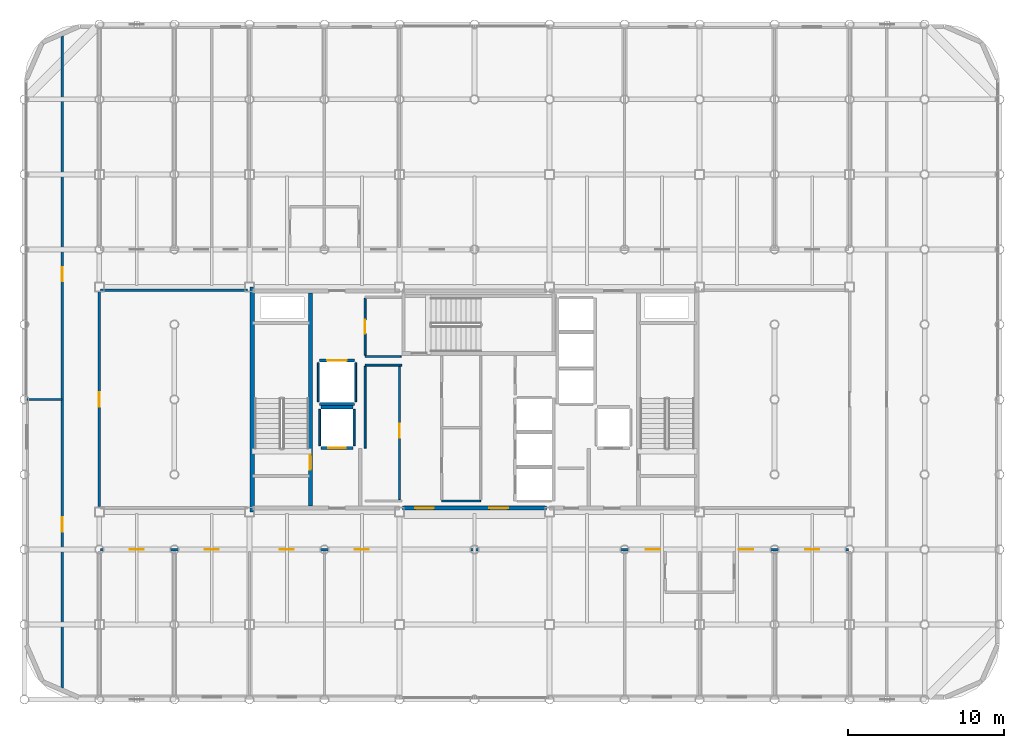
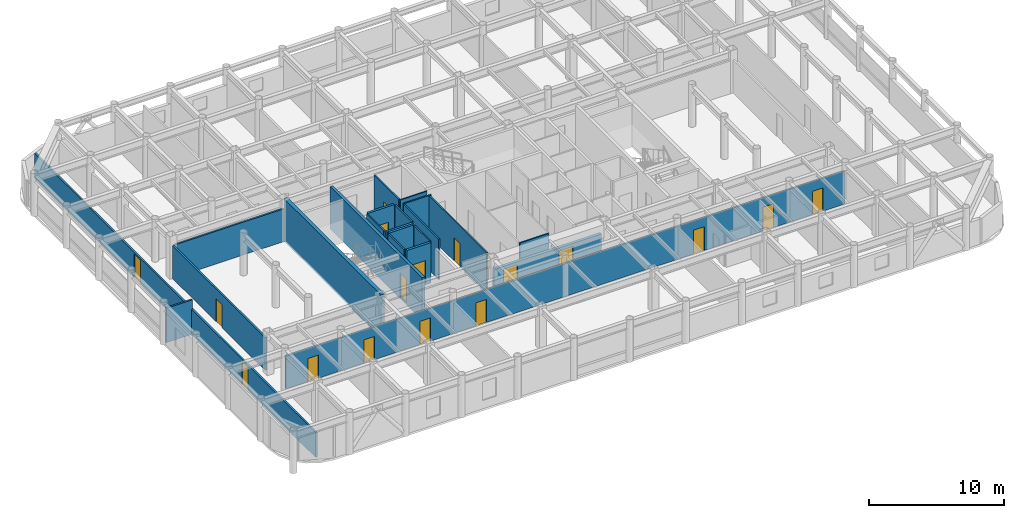
# One storey, part 18 of 22: 22 walls, 17 doors, 17 openings.
"""IFC4 building model written with IfcOpenShell, lengths in metres."""

from ifc_helpers import new_model, si_unit, direction, frame, frame_2d, origin, place, context, subcontext, project, spatial, rectangle, extrude, material, layer, layer_set, type_object, element, fill, save


model = new_model("IFC4")

# Units and contexts
model_context = context("Model", 3, precision=1e-05, world=origin(), true_north=direction((0.0, 1.0)))
body_context = subcontext(model_context, "Body", "Model", "MODEL_VIEW")
ifc_project = project(units=[si_unit("LENGTHUNIT", "METRE"), si_unit("AREAUNIT", "SQUARE_METRE"), si_unit("VOLUMEUNIT", "CUBIC_METRE"), si_unit("PLANEANGLEUNIT", "RADIAN"), si_unit("MASSUNIT", "GRAM", prefix="KILO")], contexts=[model_context])

# Site, building, storey
site_placement = place(None, origin())
site = spatial("IfcSite", under=ifc_project, at=site_placement, CompositionType="ELEMENT")
building_placement = place(site_placement, origin())
building = spatial("IfcBuilding", under=site, at=building_placement, Name="Kallvorn Hotel Tower", CompositionType="ELEMENT")
storey_placement = place(building_placement, frame((0.0, 0.0, 230.0)))
storey = spatial("IfcBuildingStorey", under=building, at=storey_placement, Name="L57", CompositionType="ELEMENT", Elevation=230.0)

# Wall
ifc_material_1 = material(Name="Concrete C50/60", Category="concrete")
ifc_layer_1 = layer(ifc_material_1, 0.300048828125)
ifc_layer_set_1 = layer_set([ifc_layer_1], Name="WL_CORE_300")
wall_type_1 = type_object("IfcWallType", Name="WL_CORE_300", PredefinedType="SHEAR", material=ifc_layer_set_1)
wall_1_placement = place(storey_placement, frame((-14.215087890625, -7.199951171875, -0.179931640625), z_axis=(0.0, 0.0, 1.0), x_axis=(0.0, 1.0, 0.0)))
element("IfcWall", 1, at=wall_1_placement, inside=storey, type_object=wall_type_1, Name="L57 Core West Shear Wall", PredefinedType="SHEAR", context=body_context, shape_type="SweptSolid", body=[
    extrude(rectangle(XDim=14.39990234375, YDim=0.300048828125, at=frame_2d((7.199951171875, 0.0))), origin(), (0.0, 0.0, 1.0), 3.849853515625),
])

# Wall, openings, doors
ifc_material_2 = material(Name="Fire-rated double-layer acoustic gypsum drywall EI 60")
ifc_layer_2 = layer(ifc_material_2, 0.159912109375)
ifc_layer_set_2 = layer_set([ifc_layer_2], Name="WL_DEMISE_160")
wall_type_2 = type_object("IfcWallType", Name="WL_DEMISE_160", PredefinedType="PARTITIONING", material=ifc_layer_set_2)
wall_2_placement = place(storey_placement, frame((-23.919921875, -9.60009765625, 0.0), z_axis=(0.0, 0.0, 1.0), x_axis=(1.0, 0.0, 0.0)))
wall_2 = element("IfcWall", 2, at=wall_2_placement, inside=storey, type_object=wall_type_2, Name="L57 Suite 5701 Superior Twin Room Partition", PredefinedType="PARTITIONING", context=body_context, shape_type="SweptSolid", body=[
    extrude(rectangle(XDim=47.83984375, YDim=0.159912109375, at=frame_2d((23.919921875, 0.0))), origin(), (0.0, 0.0, 1.0), 2.969970703125),
])
opening_1_placement = place(wall_2_placement, frame((1.8701171875, 0.0, 0.0)))
opening_1 = element("IfcOpeningElement", 3, at=opening_1_placement, cuts=wall_2, Name="Opening SVD1", PredefinedType="OPENING", context=body_context, shape_type="SweptSolid", body=[
    extrude(rectangle(XDim=0.89990234375, YDim=2.10009765625, at=frame_2d((0.449951171875, 1.050048828125))), frame((0.0, 0.094970703125, 0.0), z_axis=(0.0, -1.0, 0.0), x_axis=(1.0, 0.0, 0.0)), (0.0, 0.0, 1.0), 0.18994140625),
])
opening_2_placement = place(wall_2_placement, frame((45.070068359375, 0.0, 0.0)))
opening_2 = element("IfcOpeningElement", 4, at=opening_2_placement, cuts=wall_2, Name="Opening SVD1", PredefinedType="OPENING", context=body_context, shape_type="SweptSolid", body=[
    extrude(rectangle(XDim=0.89990234375, YDim=2.10009765625, at=frame_2d((0.449951171875, 1.050048828125))), frame((0.0, 0.094970703125, 0.0), z_axis=(0.0, -1.0, 0.0), x_axis=(1.0, 0.0, 0.0)), (0.0, 0.0, 1.0), 0.18994140625),
])
opening_3_placement = place(wall_2_placement, frame((6.669921875, 0.0, 0.0)))
opening_3 = element("IfcOpeningElement", 5, at=opening_3_placement, cuts=wall_2, Name="Opening SVD1", PredefinedType="OPENING", context=body_context, shape_type="SweptSolid", body=[
    extrude(rectangle(XDim=0.89990234375, YDim=2.10009765625, at=frame_2d((0.449951171875, 1.050048828125))), frame((0.0, 0.094970703125, 0.0), z_axis=(0.0, -1.0, 0.0), x_axis=(1.0, 0.0, 0.0)), (0.0, 0.0, 1.0), 0.18994140625),
])
opening_4_placement = place(wall_2_placement, frame((11.469970703125, 0.0, 0.0)))
opening_4 = element("IfcOpeningElement", 6, at=opening_4_placement, cuts=wall_2, Name="Opening SVD1", PredefinedType="OPENING", context=body_context, shape_type="SweptSolid", body=[
    extrude(rectangle(XDim=0.89990234375, YDim=2.10009765625, at=frame_2d((0.449951171875, 1.050048828125))), frame((0.0, 0.094970703125, 0.0), z_axis=(0.0, -1.0, 0.0), x_axis=(1.0, 0.0, 0.0)), (0.0, 0.0, 1.0), 0.18994140625),
])
opening_5_placement = place(wall_2_placement, frame((16.27001953125, 0.0, 0.0)))
opening_5 = element("IfcOpeningElement", 7, at=opening_5_placement, cuts=wall_2, Name="Opening SVD1", PredefinedType="OPENING", context=body_context, shape_type="SweptSolid", body=[
    extrude(rectangle(XDim=0.89990234375, YDim=2.10009765625, at=frame_2d((0.449951171875, 1.050048828125))), frame((0.0, 0.094970703125, 0.0), z_axis=(0.0, -1.0, 0.0), x_axis=(1.0, 0.0, 0.0)), (0.0, 0.0, 1.0), 0.18994140625),
])
opening_6_placement = place(wall_2_placement, frame((34.889892578125, 0.0, 0.0)))
opening_6 = element("IfcOpeningElement", 8, at=opening_6_placement, cuts=wall_2, Name="Opening GD1", PredefinedType="OPENING", context=body_context, shape_type="SweptSolid", body=[
    extrude(rectangle(XDim=0.919921875, YDim=2.14990234375, at=frame_2d((0.4599609375, 1.074951171875))), frame((0.0, 0.094970703125, 0.0), z_axis=(0.0, -1.0, 0.0), x_axis=(1.0, 0.0, 0.0)), (0.0, 0.0, 1.0), 0.18994140625),
])
opening_7_placement = place(wall_2_placement, frame((40.830078125, 0.0, 0.0)))
opening_7 = element("IfcOpeningElement", 9, at=opening_7_placement, cuts=wall_2, Name="Opening GD1", PredefinedType="OPENING", context=body_context, shape_type="SweptSolid", body=[
    extrude(rectangle(XDim=0.919921875, YDim=2.14990234375, at=frame_2d((0.4599609375, 1.074951171875))), frame((0.0, 0.094970703125, 0.0), z_axis=(0.0, -1.0, 0.0), x_axis=(1.0, 0.0, 0.0)), (0.0, 0.0, 1.0), 0.18994140625),
])
ifc_material_3 = material(Name="Solid-core walnut veneer fire-rated timber door leaf", Category="wood")
door_type_1 = type_object("IfcDoorType", Name="DR_GUEST_920x2150", OperationType="NOTDEFINED", PredefinedType="DOOR", material=ifc_material_3)
door_1_placement = place(opening_6_placement, origin())
door_1 = element("IfcDoor", 10, at=door_1_placement, inside=storey, type_object=door_type_1, Name="L57 Suite 5701 Superior Twin Room Door", OperationType="SINGLE_SWING_RIGHT", OverallHeight=2.14990234375, OverallWidth=0.919921875, PredefinedType="DOOR", context=body_context, shape_type="SweptSolid", body=[
    extrude(rectangle(XDim=0.919921875, YDim=2.14990234375, at=frame_2d((0.4599609375, 1.074951171875))), frame((0.0, 0.02490234375, 0.0), z_axis=(0.0, -1.0, 0.0), x_axis=(1.0, 0.0, 0.0)), (0.0, 0.0, 1.0), 0.050048828125),
])
fill(opening_6, door_1)
door_2_placement = place(opening_7_placement, origin())
door_2 = element("IfcDoor", 11, at=door_2_placement, inside=storey, type_object=door_type_1, Name="L57 Suite 5702 Superior Twin Room Door", OperationType="SINGLE_SWING_RIGHT", OverallHeight=2.14990234375, OverallWidth=0.919921875, PredefinedType="DOOR", context=body_context, shape_type="SweptSolid", body=[
    extrude(rectangle(XDim=0.919921875, YDim=2.14990234375, at=frame_2d((0.4599609375, 1.074951171875))), frame((0.0, 0.02490234375, 0.0), z_axis=(0.0, -1.0, 0.0), x_axis=(1.0, 0.0, 0.0)), (0.0, 0.0, 1.0), 0.050048828125),
])
fill(opening_7, door_2)
ifc_material_4 = material(Name="Galvanised painted steel fire-rated door assembly", Category="steel")
door_type_2 = type_object("IfcDoorType", Name="DR_SERV_900x2100", OperationType="NOTDEFINED", PredefinedType="DOOR", material=ifc_material_4)
door_3_placement = place(opening_1_placement, origin())
door_3 = element("IfcDoor", 12, at=door_3_placement, inside=storey, type_object=door_type_2, Name="L57 L57 High-Zone South-West Tea Bar Door", OperationType="SINGLE_SWING_RIGHT", OverallHeight=2.10009765625, OverallWidth=0.89990234375, PredefinedType="DOOR", context=body_context, shape_type="SweptSolid", body=[
    extrude(rectangle(XDim=0.89990234375, YDim=2.10009765625, at=frame_2d((0.449951171875, 1.050048828125))), frame((0.0, 0.02490234375, 0.0), z_axis=(0.0, -1.0, 0.0), x_axis=(1.0, 0.0, 0.0)), (0.0, 0.0, 1.0), 0.050048828125),
])
fill(opening_1, door_3)
door_4_placement = place(opening_2_placement, origin())
door_4 = element("IfcDoor", 13, at=door_4_placement, inside=storey, type_object=door_type_2, Name="L57 L57 High-Zone South-East Wine Bar Door", OperationType="SINGLE_SWING_LEFT", OverallHeight=2.10009765625, OverallWidth=0.89990234375, PredefinedType="DOOR", context=body_context, shape_type="SweptSolid", body=[
    extrude(rectangle(XDim=0.89990234375, YDim=2.10009765625, at=frame_2d((0.449951171875, 1.050048828125))), frame((0.0, 0.02490234375, 0.0), z_axis=(0.0, -1.0, 0.0), x_axis=(1.0, 0.0, 0.0)), (0.0, 0.0, 1.0), 0.050048828125),
])
fill(opening_2, door_4)
door_5_placement = place(opening_3_placement, origin())
door_5 = element("IfcDoor", 14, at=door_5_placement, inside=storey, type_object=door_type_2, Name="L57 L57 Thermal Hydrotherapy Treatment Suite 1-1 Door", OperationType="SINGLE_SWING_RIGHT", OverallHeight=2.10009765625, OverallWidth=0.89990234375, PredefinedType="DOOR", context=body_context, shape_type="SweptSolid", body=[
    extrude(rectangle(XDim=0.89990234375, YDim=2.10009765625, at=frame_2d((0.449951171875, 1.050048828125))), frame((0.0, 0.02490234375, 0.0), z_axis=(0.0, -1.0, 0.0), x_axis=(1.0, 0.0, 0.0)), (0.0, 0.0, 1.0), 0.050048828125),
])
fill(opening_3, door_5)
door_6_placement = place(opening_4_placement, origin())
door_6 = element("IfcDoor", 15, at=door_6_placement, inside=storey, type_object=door_type_2, Name="L57 L57 Thermal Hydrotherapy Treatment Suite 1-2 Door", OperationType="SINGLE_SWING_RIGHT", OverallHeight=2.10009765625, OverallWidth=0.89990234375, PredefinedType="DOOR", context=body_context, shape_type="SweptSolid", body=[
    extrude(rectangle(XDim=0.89990234375, YDim=2.10009765625, at=frame_2d((0.449951171875, 1.050048828125))), frame((0.0, 0.02490234375, 0.0), z_axis=(0.0, -1.0, 0.0), x_axis=(1.0, 0.0, 0.0)), (0.0, 0.0, 1.0), 0.050048828125),
])
fill(opening_4, door_6)
door_7_placement = place(opening_5_placement, origin())
door_7 = element("IfcDoor", 16, at=door_7_placement, inside=storey, type_object=door_type_2, Name="L57 L57 Panoramic Club Sky Lounge 2 Door", OperationType="SINGLE_SWING_LEFT", OverallHeight=2.10009765625, OverallWidth=0.89990234375, PredefinedType="DOOR", context=body_context, shape_type="SweptSolid", body=[
    extrude(rectangle(XDim=0.89990234375, YDim=2.10009765625, at=frame_2d((0.449951171875, 1.050048828125))), frame((0.0, 0.02490234375, 0.0), z_axis=(0.0, -1.0, 0.0), x_axis=(1.0, 0.0, 0.0)), (0.0, 0.0, 1.0), 0.050048828125),
])
fill(opening_5, door_7)

# Wall, opening, door
ifc_material_5 = material(Name="Concrete C40/50", Category="concrete")
ifc_layer_3 = layer(ifc_material_5, 0.199951171875)
ifc_layer_set_3 = layer_set([ifc_layer_3], Name="WL_HOIST_200")
wall_type_3 = type_object("IfcWallType", Name="WL_HOIST_200", PredefinedType="SOLIDWALL", material=ifc_layer_set_3)
wall_3_placement = place(storey_placement, frame((-9.820068359375, -3.10009765625, 0.0), z_axis=(0.0, 0.0, 1.0), x_axis=(1.0, 0.0, 0.0)))
wall_3 = element("IfcWall", 17, at=wall_3_placement, inside=storey, type_object=wall_type_3, Name="L57 FL-1 Landing Wall", PredefinedType="SOLIDWALL", context=body_context, shape_type="SweptSolid", body=[
    extrude(rectangle(XDim=2.0400390625, YDim=0.199951171875, at=frame_2d((1.02001953125, 0.0))), origin(), (0.0, 0.0, 1.0), 3.669921875),
])
opening_8_placement = place(wall_3_placement, frame((0.469970703125, 0.0, 0.0)))
opening_8 = element("IfcOpeningElement", 18, at=opening_8_placement, cuts=wall_3, Name="Opening LD-FL-1", PredefinedType="OPENING", context=body_context, shape_type="SweptSolid", body=[
    extrude(rectangle(XDim=1.10009765625, YDim=2.199951171875, at=frame_2d((0.550048828125, 1.10009765625))), frame((0.0, 0.114990234375, 0.0), z_axis=(0.0, -1.0, 0.0), x_axis=(1.0, 0.0, 0.0)), (0.0, 0.0, 1.0), 0.22998046875),
])
ifc_material_6 = material(Name="Brushed stainless-steel automatic sliding lift landing door", Category="steel")
door_type_3 = type_object("IfcDoorType", Name="LD_PASS_1100x2200", OperationType="SLIDING_TO_LEFT", PredefinedType="DOOR", material=ifc_material_6)
door_8_placement = place(opening_8_placement, origin())
door_8 = element("IfcDoor", 19, at=door_8_placement, inside=storey, type_object=door_type_3, Name="L57 Lift Landing Sliding Door LD-FL-1", OperationType="SLIDING_TO_LEFT", OverallHeight=2.199951171875, OverallWidth=1.10009765625, PredefinedType="DOOR", context=body_context, shape_type="SweptSolid", body=[
    extrude(rectangle(XDim=1.10009765625, YDim=2.199951171875, at=frame_2d((0.550048828125, 1.10009765625))), frame((0.0, 0.02490234375, 0.0), z_axis=(0.0, -1.0, 0.0), x_axis=(1.0, 0.0, 0.0)), (0.0, 0.0, 1.0), 0.050048828125),
])
fill(opening_8, door_8)

# Wall
wall_4_placement = place(storey_placement, frame((-9.820068359375, -0.5, 0.0), z_axis=(0.0, 0.0, 1.0), x_axis=(1.0, 0.0, 0.0)))
element("IfcWall", 20, at=wall_4_placement, inside=storey, type_object=wall_type_3, Name="L57 FL-1 Rear Shaft Wall", PredefinedType="SOLIDWALL", context=body_context, shape_type="SweptSolid", body=[
    extrude(rectangle(XDim=2.0400390625, YDim=0.199951171875, at=frame_2d((1.02001953125, 0.0))), origin(), (0.0, 0.0, 1.0), 3.669921875),
])

# Wall, opening, door
wall_5_placement = place(storey_placement, frame((-9.919921875, 2.5, 0.0), z_axis=(0.0, 0.0, 1.0), x_axis=(1.0, 0.0, 0.0)))
wall_5 = element("IfcWall", 21, at=wall_5_placement, inside=storey, type_object=wall_type_3, Name="L57 SV-01 Landing Wall", PredefinedType="SOLIDWALL", context=body_context, shape_type="SweptSolid", body=[
    extrude(rectangle(XDim=2.239990234375, YDim=0.199951171875, at=frame_2d((1.1201171875, 0.0))), origin(), (0.0, 0.0, 1.0), 3.669921875),
])
opening_9_placement = place(wall_5_placement, frame((0.4951171875, 0.0, 0.0)))
opening_9 = element("IfcOpeningElement", 22, at=opening_9_placement, cuts=wall_5, Name="Opening LD-SV-01", PredefinedType="OPENING", context=body_context, shape_type="SweptSolid", body=[
    extrude(rectangle(XDim=1.25, YDim=2.25, at=frame_2d((0.625, 1.125))), frame((0.0, 0.114990234375, 0.0), z_axis=(0.0, -1.0, 0.0), x_axis=(1.0, 0.0, 0.0)), (0.0, 0.0, 1.0), 0.22998046875),
])
ifc_material_7 = material(Name="Brushed stainless-steel automatic sliding lift landing door", Category="steel")
door_type_4 = type_object("IfcDoorType", Name="LD_SERV_1250x2250", OperationType="SLIDING_TO_LEFT", PredefinedType="DOOR", material=ifc_material_7)
door_9_placement = place(opening_9_placement, origin())
door_9 = element("IfcDoor", 23, at=door_9_placement, inside=storey, type_object=door_type_4, Name="L57 Lift Landing Sliding Door LD-SV-01", OperationType="SLIDING_TO_LEFT", OverallHeight=2.25, OverallWidth=1.25, PredefinedType="DOOR", context=body_context, shape_type="SweptSolid", body=[
    extrude(rectangle(XDim=1.25, YDim=2.25, at=frame_2d((0.625, 1.125))), frame((0.0, 0.02490234375, 0.0), z_axis=(0.0, -1.0, 0.0), x_axis=(1.0, 0.0, 0.0)), (0.0, 0.0, 1.0), 0.050048828125),
])
fill(opening_9, door_9)

# Walls
wall_6_placement = place(storey_placement, frame((-9.919921875, -0.300048828125, 0.0), z_axis=(0.0, 0.0, 1.0), x_axis=(1.0, 0.0, 0.0)))
element("IfcWall", 24, at=wall_6_placement, inside=storey, type_object=wall_type_3, Name="L57 SV-01 Rear Shaft Wall", PredefinedType="SOLIDWALL", context=body_context, shape_type="SweptSolid", body=[
    extrude(rectangle(XDim=2.239990234375, YDim=0.199951171875, at=frame_2d((1.1201171875, 0.0))), origin(), (0.0, 0.0, 1.0), 3.669921875),
])
ifc_material_8 = material(Name="Fire-rated double-layer acoustic gypsum drywall EI 60")
ifc_layer_4 = layer(ifc_material_8, 0.1201171875)
ifc_layer_set_4 = layer_set([ifc_layer_4], Name="WL_INT_120")
wall_type_4 = type_object("IfcWallType", Name="WL_INT_120", PredefinedType="PARTITIONING", material=ifc_layer_set_4)
for number, where, z_axis, x_axis, name in (
    (25, (-9.89990234375, -2.9599609375, 0.0), (0.0, 0.0, 1.0), (0.0, 1.0, 0.0), "L57 FL-1 West Shaft Wall"),
    (26, (-7.699951171875, -2.9599609375, 0.0), (0.0, 0.0, 1.0), (0.0, 1.0, 0.0), "L57 FL-1 East Shaft Wall"),
):
    element("IfcWall", number, at=place(storey_placement, frame(where, z_axis=z_axis, x_axis=x_axis)), inside=storey, type_object=wall_type_4, Name=name, PredefinedType="PARTITIONING", context=body_context, shape_type="SweptSolid", body=[
        extrude(rectangle(XDim=2.320068359375, YDim=0.1201171875, at=frame_2d((1.16015625, 0.0))), origin(), (0.0, 0.0, 1.0), 3.669921875),
    ])
for number, where, z_axis, x_axis, name in (
    (27, (-10.0, -0.159912109375, 0.0), (0.0, 0.0, 1.0), (0.0, 1.0, 0.0), "L57 SV-01 West Shaft Wall"),
    (28, (-7.60009765625, -0.159912109375, 0.0), (0.0, 0.0, 1.0), (0.0, 1.0, 0.0), "L57 SV-01 East Shaft Wall"),
):
    element("IfcWall", number, at=place(storey_placement, frame(where, z_axis=z_axis, x_axis=x_axis)), inside=storey, type_object=wall_type_4, Name=name, PredefinedType="PARTITIONING", context=body_context, shape_type="SweptSolid", body=[
        extrude(rectangle(XDim=2.52001953125, YDim=0.1201171875, at=frame_2d((1.260009765625, 0.0))), origin(), (0.0, 0.0, 1.0), 3.669921875),
    ])
wall_7_placement = place(storey_placement, frame((-2.10009765625, -6.5, 0.0), z_axis=(0.0, 0.0, 1.0), x_axis=(1.0, 0.0, 0.0)))
element("IfcWall", 29, at=wall_7_placement, inside=storey, type_object=wall_type_4, Name="L57 High-Zone Sommelier and Beverage Pantry Partition", PredefinedType="PARTITIONING", context=body_context, shape_type="SweptSolid", body=[
    extrude(rectangle(XDim=2.5, YDim=0.1201171875, at=frame_2d((1.25, 0.0))), origin(), (0.0, 0.0, 1.0), 3.669921875),
])
wall_8_placement = place(storey_placement, frame((-7.0, 2.199951171875, 0.0), z_axis=(0.0, 0.0, 1.0), x_axis=(1.0, 0.0, 0.0)))
element("IfcWall", 30, at=wall_8_placement, inside=storey, type_object=wall_type_4, Name="L57 Recaptured Butler and Room-Service Pantry Partition", PredefinedType="PARTITIONING", context=body_context, shape_type="SweptSolid", body=[
    extrude(rectangle(XDim=2.35009765625, YDim=0.1201171875, at=frame_2d((1.175048828125, 0.0))), origin(), (0.0, 0.0, 1.0), 3.669921875),
])
wall_9_placement = place(storey_placement, frame((-7.0, 2.75, 0.0), z_axis=(0.0, 0.0, 1.0), x_axis=(1.0, 0.0, 0.0)))
element("IfcWall", 31, at=wall_9_placement, inside=storey, type_object=wall_type_4, Name="L57 Recaptured Valet and Linen Reserve Store Partition", PredefinedType="PARTITIONING", context=body_context, shape_type="SweptSolid", body=[
    extrude(rectangle(XDim=2.31005859375, YDim=0.1201171875, at=frame_2d((1.155029296875, 0.0))), origin(), (0.0, 0.0, 1.0), 3.669921875),
])
wall_10_placement = place(storey_placement, frame((-7.0, -3.110107421875, 0.0), z_axis=(0.0, 0.0, 1.0), x_axis=(0.0, 1.0, 0.0)))
element("IfcWall", 32, at=wall_10_placement, inside=storey, type_object=wall_type_4, Name="L57 Recaptured Butler and Room-Service Pantry Partition", PredefinedType="PARTITIONING", context=body_context, shape_type="SweptSolid", body=[
    extrude(rectangle(XDim=5.22509765625, YDim=0.1201171875, at=frame_2d((2.612548828125, 0.0))), origin(), (0.0, 0.0, 1.0), 3.669921875),
])

# Wall, opening, door
wall_11_placement = place(storey_placement, frame((-7.0, 2.8349609375, 0.0), z_axis=(0.0, 0.0, 1.0), x_axis=(0.0, 1.0, 0.0)))
wall_11 = element("IfcWall", 33, at=wall_11_placement, inside=storey, type_object=wall_type_4, Name="L57 Recaptured Valet and Linen Reserve Store Partition", PredefinedType="PARTITIONING", context=body_context, shape_type="SweptSolid", body=[
    extrude(rectangle(XDim=3.630126953125, YDim=0.1201171875, at=frame_2d((1.81494140625, 0.0))), origin(), (0.0, 0.0, 1.0), 3.669921875),
])
opening_10_placement = place(wall_11_placement, frame((1.364990234375, 0.0, 0.0)))
opening_10 = element("IfcOpeningElement", 34, at=opening_10_placement, cuts=wall_11, Name="Opening SVD1", PredefinedType="OPENING", context=body_context, shape_type="SweptSolid", body=[
    extrude(rectangle(XDim=0.89990234375, YDim=2.10009765625, at=frame_2d((0.449951171875, 1.050048828125))), frame((0.0, 0.074951171875, 0.0), z_axis=(0.0, -1.0, 0.0), x_axis=(1.0, 0.0, 0.0)), (0.0, 0.0, 1.0), 0.150146484375),
])
door_10_placement = place(opening_10_placement, origin())
door_10 = element("IfcDoor", 35, at=door_10_placement, inside=storey, type_object=door_type_2, Name="L57 Recaptured Valet and Linen Reserve Store Door", OperationType="SINGLE_SWING_RIGHT", OverallHeight=2.10009765625, OverallWidth=0.89990234375, PredefinedType="DOOR", context=body_context, shape_type="SweptSolid", body=[
    extrude(rectangle(XDim=0.89990234375, YDim=2.10009765625, at=frame_2d((0.449951171875, 1.050048828125))), frame((0.0, 0.02490234375, 0.0), z_axis=(0.0, -1.0, 0.0), x_axis=(1.0, 0.0, 0.0)), (0.0, 0.0, 1.0), 0.050048828125),
])
fill(opening_10, door_10)

wall_12_placement = place(storey_placement, frame((-4.800048828125, -6.4150390625, 0.0), z_axis=(0.0, 0.0, 1.0), x_axis=(0.0, 1.0, 0.0)))
wall_12 = element("IfcWall", 36, at=wall_12_placement, inside=storey, type_object=wall_type_4, Name="L57 Recaptured Butler and Room-Service Pantry Partition", PredefinedType="PARTITIONING", context=body_context, shape_type="SweptSolid", body=[
    extrude(rectangle(XDim=8.530029296875, YDim=0.1201171875, at=frame_2d((4.26513671875, 0.0))), origin(), (0.0, 0.0, 1.0), 3.669921875),
])
opening_11_placement = place(wall_12_placement, frame((3.965087890625, 0.0, 0.0)))
opening_11 = element("IfcOpeningElement", 37, at=opening_11_placement, cuts=wall_12, Name="Opening SVD1", PredefinedType="OPENING", context=body_context, shape_type="SweptSolid", body=[
    extrude(rectangle(XDim=0.89990234375, YDim=2.10009765625, at=frame_2d((0.449951171875, 1.050048828125))), frame((0.0, 0.074951171875, 0.0), z_axis=(0.0, -1.0, 0.0), x_axis=(1.0, 0.0, 0.0)), (0.0, 0.0, 1.0), 0.150146484375),
])
door_11_placement = place(opening_11_placement, origin())
door_11 = element("IfcDoor", 38, at=door_11_placement, inside=storey, type_object=door_type_2, Name="L57 Recaptured Butler and Room-Service Pantry Door", OperationType="SINGLE_SWING_RIGHT", OverallHeight=2.10009765625, OverallWidth=0.89990234375, PredefinedType="DOOR", context=body_context, shape_type="SweptSolid", body=[
    extrude(rectangle(XDim=0.89990234375, YDim=2.10009765625, at=frame_2d((0.449951171875, 1.050048828125))), frame((0.0, 0.02490234375, 0.0), z_axis=(0.0, -1.0, 0.0), x_axis=(1.0, 0.0, 0.0)), (0.0, 0.0, 1.0), 0.050048828125),
])
fill(opening_11, door_11)

# Walls
ifc_material_9 = material(Name="Fire-rated double-layer acoustic gypsum drywall EI 60")
ifc_layer_5 = layer(ifc_material_9, 0.14990234375)
ifc_layer_set_5 = layer_set([ifc_layer_5], Name="WL_PART_150")
wall_type_5 = type_object("IfcWallType", Name="WL_PART_150", PredefinedType="PARTITIONING", material=ifc_layer_set_5)
wall_13_placement = place(storey_placement, frame((-28.6298828125, 0.0, 0.0), z_axis=(0.0, 0.0, 1.0), x_axis=(1.0, 0.0, 0.0)))
element("IfcWall", 39, at=wall_13_placement, inside=storey, type_object=wall_type_5, Name="L57 L57 Outer West North Fitness Club Partition", PredefinedType="PARTITIONING", context=body_context, shape_type="SweptSolid", body=[
    extrude(rectangle(XDim=2.25, YDim=0.14990234375, at=frame_2d((1.125, 0.0))), origin(), (0.0, 0.0, 1.0), 3.1201171875),
])
wall_14_placement = place(storey_placement, frame((-23.919921875, 6.97998046875, 0.0), z_axis=(0.0, 0.0, 1.0), x_axis=(1.0, 0.0, 0.0)))
element("IfcWall", 40, at=wall_14_placement, inside=storey, type_object=wall_type_5, Name="L57 L57 High-Zone Inner West Club Bar Partition", PredefinedType="PARTITIONING", context=body_context, shape_type="SweptSolid", body=[
    extrude(rectangle(XDim=9.39990234375, YDim=0.14990234375, at=frame_2d((4.699951171875, 0.0))), origin(), (0.0, 0.0, 1.0), 2.969970703125),
])

# Wall, openings, doors
wall_15_placement = place(storey_placement, frame((-26.3798828125, -18.447265625, 0.0), z_axis=(0.0, 0.0, 1.0), x_axis=(0.0, 1.0, 0.0)))
wall_15 = element("IfcWall", 41, at=wall_15_placement, inside=storey, type_object=wall_type_5, Name="L57 L57 Outer West South Cocktail Bar Partition", PredefinedType="PARTITIONING", context=body_context, shape_type="SweptSolid", body=[
    extrude(rectangle(XDim=41.694580078125, YDim=0.14990234375, at=frame_2d((20.84716796875, 0.0))), origin(), (0.0, 0.0, 1.0), 2.27001953125),
])
opening_12_placement = place(wall_15_placement, frame((9.997314453125, 0.0, 0.0)))
opening_12 = element("IfcOpeningElement", 42, at=opening_12_placement, cuts=wall_15, Name="Opening SVD1", PredefinedType="OPENING", context=body_context, shape_type="SweptSolid", body=[
    extrude(rectangle(XDim=0.89990234375, YDim=2.10009765625, at=frame_2d((0.449951171875, 1.050048828125))), frame((0.0, 0.08984375, 0.0), z_axis=(0.0, -1.0, 0.0), x_axis=(1.0, 0.0, 0.0)), (0.0, 0.0, 1.0), 0.179931640625),
])
opening_13_placement = place(wall_15_placement, frame((25.997314453125, 0.0, 0.0)))
opening_13 = element("IfcOpeningElement", 43, at=opening_13_placement, cuts=wall_15, Name="Opening SVD1", PredefinedType="OPENING", context=body_context, shape_type="SweptSolid", body=[
    extrude(rectangle(XDim=0.89990234375, YDim=2.10009765625, at=frame_2d((0.449951171875, 1.050048828125))), frame((0.0, 0.08984375, 0.0), z_axis=(0.0, -1.0, 0.0), x_axis=(1.0, 0.0, 0.0)), (0.0, 0.0, 1.0), 0.179931640625),
])
door_12_placement = place(opening_12_placement, origin())
door_12 = element("IfcDoor", 44, at=door_12_placement, inside=storey, type_object=door_type_2, Name="L57 L57 Outer West South Cocktail Bar Door", OperationType="SINGLE_SWING_RIGHT", OverallHeight=2.10009765625, OverallWidth=0.89990234375, PredefinedType="DOOR", context=body_context, shape_type="SweptSolid", body=[
    extrude(rectangle(XDim=0.89990234375, YDim=2.10009765625, at=frame_2d((0.449951171875, 1.050048828125))), frame((0.0, 0.02490234375, 0.0), z_axis=(0.0, -1.0, 0.0), x_axis=(1.0, 0.0, 0.0)), (0.0, 0.0, 1.0), 0.050048828125),
])
fill(opening_12, door_12)
door_13_placement = place(opening_13_placement, origin())
door_13 = element("IfcDoor", 45, at=door_13_placement, inside=storey, type_object=door_type_2, Name="L57 L57 Outer West North Fitness Club Door", OperationType="SINGLE_SWING_LEFT", OverallHeight=2.10009765625, OverallWidth=0.89990234375, PredefinedType="DOOR", context=body_context, shape_type="SweptSolid", body=[
    extrude(rectangle(XDim=0.89990234375, YDim=2.10009765625, at=frame_2d((0.449951171875, 1.050048828125))), frame((0.0, 0.02490234375, 0.0), z_axis=(0.0, -1.0, 0.0), x_axis=(1.0, 0.0, 0.0)), (0.0, 0.0, 1.0), 0.050048828125),
])
fill(opening_13, door_13)

# Wall, opening, door
wall_16_placement = place(storey_placement, frame((-24.0, -6.8349609375, 0.0), z_axis=(0.0, 0.0, 1.0), x_axis=(0.0, 1.0, 0.0)))
wall_16 = element("IfcWall", 46, at=wall_16_placement, inside=storey, type_object=wall_type_5, Name="L57 L57 High-Zone Inner West Club Bar Partition", PredefinedType="PARTITIONING", context=body_context, shape_type="SweptSolid", body=[
    extrude(rectangle(XDim=13.72998046875, YDim=0.14990234375, at=frame_2d((6.864990234375, 0.0))), origin(), (0.0, 0.0, 1.0), 2.969970703125),
])
opening_14_placement = place(wall_16_placement, frame((6.385009765625, 0.0, 0.0)))
opening_14 = element("IfcOpeningElement", 47, at=opening_14_placement, cuts=wall_16, Name="Opening SVD1", PredefinedType="OPENING", context=body_context, shape_type="SweptSolid", body=[
    extrude(rectangle(XDim=0.89990234375, YDim=2.10009765625, at=frame_2d((0.449951171875, 1.050048828125))), frame((0.0, 0.08984375, 0.0), z_axis=(0.0, -1.0, 0.0), x_axis=(1.0, 0.0, 0.0)), (0.0, 0.0, 1.0), 0.179931640625),
])
door_14_placement = place(opening_14_placement, origin())
door_14 = element("IfcDoor", 48, at=door_14_placement, inside=storey, type_object=door_type_2, Name="L57 L57 High-Zone Inner West Club Bar Door", OperationType="SINGLE_SWING_LEFT", OverallHeight=2.10009765625, OverallWidth=0.89990234375, PredefinedType="DOOR", context=body_context, shape_type="SweptSolid", body=[
    extrude(rectangle(XDim=0.89990234375, YDim=2.10009765625, at=frame_2d((0.449951171875, 1.050048828125))), frame((0.0, 0.02490234375, 0.0), z_axis=(0.0, -1.0, 0.0), x_axis=(1.0, 0.0, 0.0)), (0.0, 0.0, 1.0), 0.050048828125),
])
fill(opening_14, door_14)

# Wall, openings, doors
ifc_material_10 = material(Name="Concrete C40/50", Category="concrete")
ifc_layer_6 = layer(ifc_material_10, 0.25)
ifc_layer_set_6 = layer_set([ifc_layer_6], Name="WL_SHAFT_250")
wall_type_6 = type_object("IfcWallType", Name="WL_SHAFT_250", PredefinedType="SOLIDWALL", material=ifc_layer_set_6)
wall_17_placement = place(storey_placement, frame((-4.60009765625, -6.949951171875, 0.0), z_axis=(0.0, 0.0, 1.0), x_axis=(1.0, 0.0, 0.0)))
wall_17 = element("IfcWall", 49, at=wall_17_placement, inside=storey, type_object=wall_type_6, Name="L57 Core South-Central Wall", PredefinedType="SOLIDWALL", context=body_context, shape_type="SweptSolid", body=[
    extrude(rectangle(XDim=9.2001953125, YDim=0.25, at=frame_2d((4.60009765625, 0.0))), origin(), (0.0, 0.0, 1.0), 2.469970703125),
])
opening_15_placement = place(wall_17_placement, frame((0.800048828125, 0.0, 0.0)))
opening_15 = element("IfcOpeningElement", 50, at=opening_15_placement, cuts=wall_17, Name="Opening FD2", PredefinedType="OPENING", context=body_context, shape_type="SweptSolid", body=[
    extrude(rectangle(XDim=1.199951171875, YDim=2.199951171875, at=frame_2d((0.60009765625, 1.10009765625))), frame((0.0, 0.139892578125, 0.0), z_axis=(0.0, -1.0, 0.0), x_axis=(1.0, 0.0, 0.0)), (0.0, 0.0, 1.0), 0.280029296875),
])
opening_16_placement = place(wall_17_placement, frame((5.550048828125, 0.0, 0.0)))
opening_16 = element("IfcOpeningElement", 51, at=opening_16_placement, cuts=wall_17, Name="Opening FD2", PredefinedType="OPENING", context=body_context, shape_type="SweptSolid", body=[
    extrude(rectangle(XDim=1.199951171875, YDim=2.199951171875, at=frame_2d((0.60009765625, 1.10009765625))), frame((0.0, 0.139892578125, 0.0), z_axis=(0.0, -1.0, 0.0), x_axis=(1.0, 0.0, 0.0)), (0.0, 0.0, 1.0), 0.280029296875),
])
ifc_material_11 = material(Name="Galvanised painted steel fire-rated door assembly", Category="steel")
door_type_5 = type_object("IfcDoorType", Name="DR_LOBBY_1200x2200", OperationType="DOUBLE_DOOR_SINGLE_SWING", PredefinedType="DOOR", material=ifc_material_11)
door_15_placement = place(opening_15_placement, origin())
door_15 = element("IfcDoor", 52, at=door_15_placement, inside=storey, type_object=door_type_5, Name="L57 West Passenger Lift Lobby Door", OperationType="DOUBLE_DOOR_SINGLE_SWING", OverallHeight=2.199951171875, OverallWidth=1.199951171875, PredefinedType="DOOR", context=body_context, shape_type="SweptSolid", body=[
    extrude(rectangle(XDim=1.199951171875, YDim=2.199951171875, at=frame_2d((0.60009765625, 1.10009765625))), frame((0.0, 0.02490234375, 0.0), z_axis=(0.0, -1.0, 0.0), x_axis=(1.0, 0.0, 0.0)), (0.0, 0.0, 1.0), 0.050048828125),
])
fill(opening_15, door_15)
door_16_placement = place(opening_16_placement, origin())
door_16 = element("IfcDoor", 53, at=door_16_placement, inside=storey, type_object=door_type_5, Name="L57 East Passenger Lift Lobby Door", OperationType="DOUBLE_DOOR_SINGLE_SWING", OverallHeight=2.199951171875, OverallWidth=1.199951171875, PredefinedType="DOOR", context=body_context, shape_type="SweptSolid", body=[
    extrude(rectangle(XDim=1.199951171875, YDim=2.199951171875, at=frame_2d((0.60009765625, 1.10009765625))), frame((0.0, 0.02490234375, 0.0), z_axis=(0.0, -1.0, 0.0), x_axis=(1.0, 0.0, 0.0)), (0.0, 0.0, 1.0), 0.050048828125),
])
fill(opening_16, door_16)

# Wall, opening, door
wall_18_placement = place(storey_placement, frame((-10.5, -6.820068359375, -0.179931640625), z_axis=(0.0, 0.0, 1.0), x_axis=(0.0, 1.0, 0.0)))
wall_18 = element("IfcWall", 54, at=wall_18_placement, inside=storey, type_object=wall_type_6, Name="L57 Stair ST1 Shaft Wall", PredefinedType="SOLIDWALL", context=body_context, shape_type="SweptSolid", body=[
    extrude(rectangle(XDim=13.64013671875, YDim=0.25, at=frame_2d((6.820068359375, 0.0))), origin(), (0.0, 0.0, 1.0), 3.849853515625),
])
opening_17_placement = place(wall_18_placement, frame((2.320068359375, 0.0, 0.179931640625)))
opening_17 = element("IfcOpeningElement", 55, at=opening_17_placement, cuts=wall_18, Name="Opening SD1", PredefinedType="OPENING", context=body_context, shape_type="SweptSolid", body=[
    extrude(rectangle(XDim=0.949951171875, YDim=2.14990234375, at=frame_2d((0.47509765625, 1.074951171875))), frame((0.0, 0.139892578125, 0.0), z_axis=(0.0, -1.0, 0.0), x_axis=(1.0, 0.0, 0.0)), (0.0, 0.0, 1.0), 0.280029296875),
])
ifc_material_12 = material(Name="Galvanised painted steel fire-rated door assembly", Category="steel")
door_type_6 = type_object("IfcDoorType", Name="DR_STAIR_950x2150", OperationType="NOTDEFINED", PredefinedType="DOOR", material=ifc_material_12)
door_17_placement = place(opening_17_placement, origin())
door_17 = element("IfcDoor", 56, at=door_17_placement, inside=storey, type_object=door_type_6, Name="L57 Exit Stair ST1 Fire Door", OperationType="SINGLE_SWING_RIGHT", OverallHeight=2.14990234375, OverallWidth=0.949951171875, PredefinedType="DOOR", context=body_context, shape_type="SweptSolid", body=[
    extrude(rectangle(XDim=0.949951171875, YDim=2.14990234375, at=frame_2d((0.47509765625, 1.074951171875))), frame((0.0, 0.02490234375, 0.0), z_axis=(0.0, -1.0, 0.0), x_axis=(1.0, 0.0, 0.0)), (0.0, 0.0, 1.0), 0.050048828125),
])
fill(opening_17, door_17)

save(model, "model.ifc")
